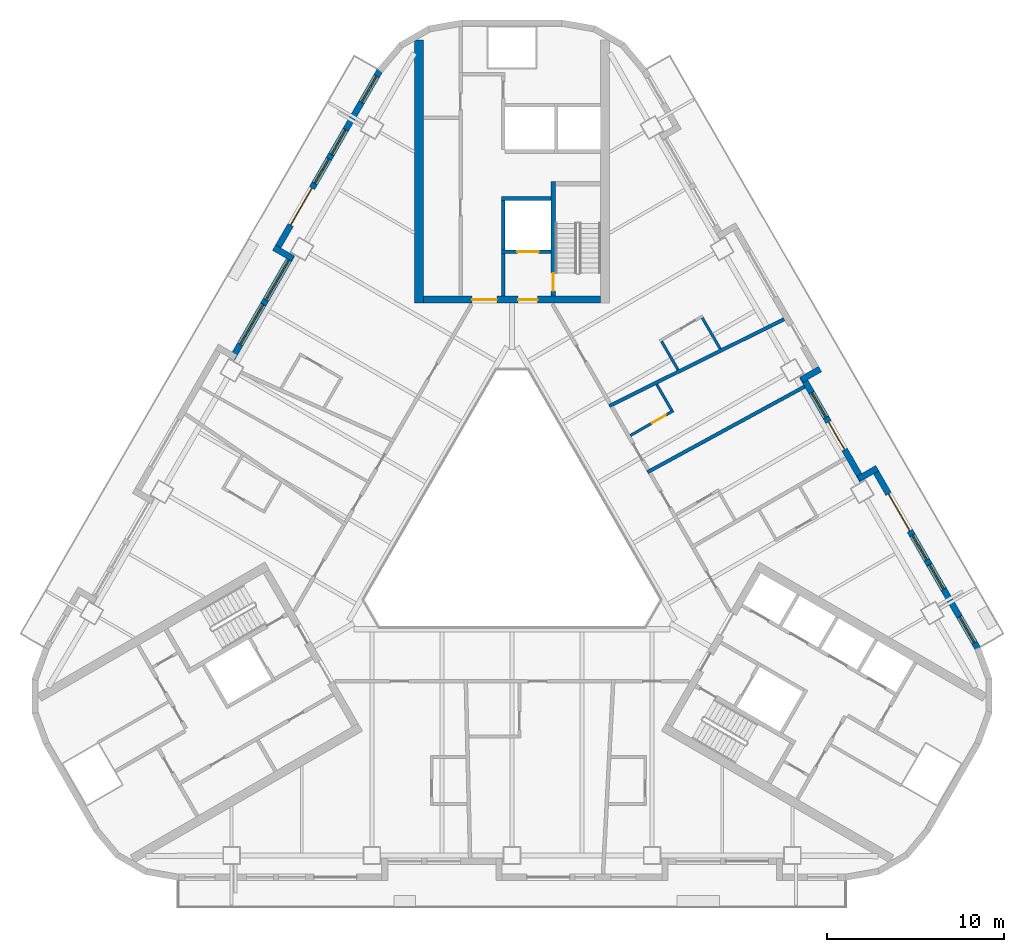
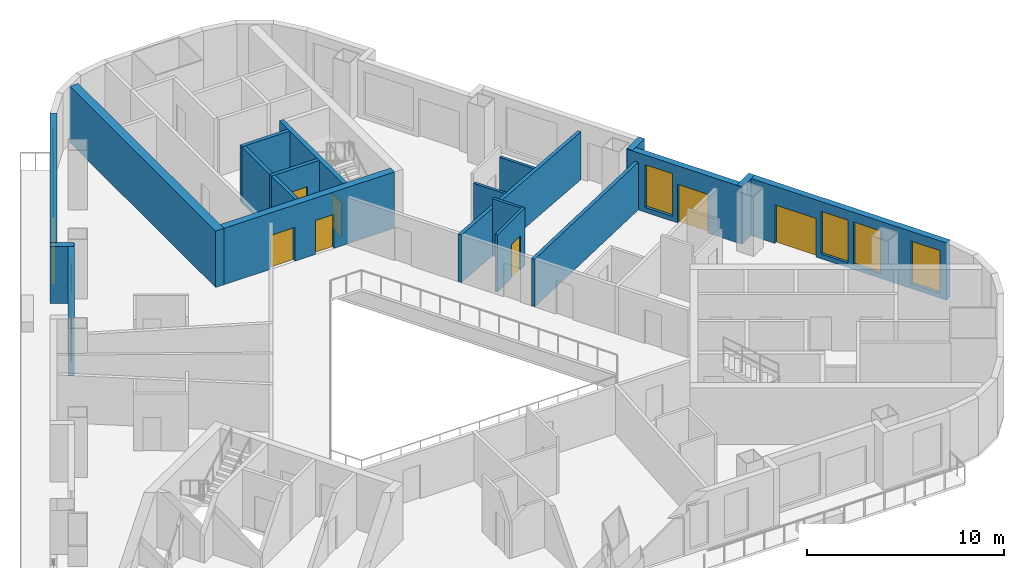
# One storey, part 6 of 13: 20 walls, 9 windows, 8 doors, 17 openings.
"""IFC4 building model written with IfcOpenShell, lengths in metres."""

from ifc_helpers import new_model, si_unit, direction, frame, frame_2d, origin, place, context, subcontext, project, spatial, rectangle, extrude, material, layer, layer_set, type_object, element, fill, save


model = new_model("IFC4")

# Units and contexts
model_context = context("Model", 3, precision=1e-05, world=origin(), true_north=direction((0.0, 1.0)))
body_context = subcontext(model_context, "Body", "Model", "MODEL_VIEW")
ifc_project = project(units=[si_unit("LENGTHUNIT", "METRE"), si_unit("AREAUNIT", "SQUARE_METRE"), si_unit("VOLUMEUNIT", "CUBIC_METRE"), si_unit("PLANEANGLEUNIT", "RADIAN"), si_unit("MASSUNIT", "GRAM", prefix="KILO")], contexts=[model_context])

# Site, building, storey
site_placement = place(None, origin())
site = spatial("IfcSite", under=ifc_project, at=site_placement, CompositionType="ELEMENT")
building_placement = place(site_placement, origin())
building = spatial("IfcBuilding", under=site, at=building_placement, Name="Apuvela Tower Hotel", CompositionType="ELEMENT")
storey_placement = place(building_placement, frame((0.0, 0.0, 79.800048828125)))
storey = spatial("IfcBuildingStorey", under=building, at=storey_placement, Name="L17", CompositionType="ELEMENT", Elevation=79.800048828125)

# Wall, openings, doors
ifc_material_1 = material(Name="Concrete C50/60", Category="concrete")
ifc_layer_1 = layer(ifc_material_1, 0.39990234375)
ifc_layer_set_1 = layer_set([ifc_layer_1], Name="COR-WALL-CORE-400")
wall_type_1 = type_object("IfcWallType", Name="COR-WALL-CORE-400", PredefinedType="SHEAR", material=ifc_layer_set_1)
wall_1_placement = place(storey_placement, frame((5.0, 13.10009765625, 0.0), z_axis=(0.0, 0.0, 1.0), x_axis=(-1.0, 0.0, 0.0)))
wall_1 = element("IfcWall", 1, at=wall_1_placement, inside=storey, type_object=wall_type_1, Name="Core wall N", PredefinedType="SHEAR", context=body_context, shape_type="SweptSolid", body=[
    extrude(rectangle(XDim=10.0, YDim=0.39990234375, at=frame_2d((5.0, 0.0))), origin(), (0.0, 0.0, 1.0), 3.5),
])
opening_1_placement = place(wall_1_placement, frame((3.550048828125, 0.0, 0.0)))
opening_1 = element("IfcOpeningElement", 2, at=opening_1_placement, cuts=wall_1, Name="Opening N-FD", PredefinedType="OPENING", context=body_context, shape_type="SweptSolid", body=[
    extrude(rectangle(XDim=1.10009765625, YDim=2.10009765625, at=frame_2d((0.550048828125, 1.050048828125))), frame((0.0, 0.2099609375, 0.0), z_axis=(0.0, -1.0, 0.0), x_axis=(1.0, 0.0, 0.0)), (0.0, 0.0, 1.0), 0.419921875),
])
opening_2_placement = place(wall_1_placement, frame((5.85009765625, 0.0, 0.0)))
opening_2 = element("IfcOpeningElement", 3, at=opening_2_placement, cuts=wall_1, Name="Opening N-GD", PredefinedType="OPENING", context=body_context, shape_type="SweptSolid", body=[
    extrude(rectangle(XDim=1.39990234375, YDim=2.10009765625, at=frame_2d((0.699951171875, 1.050048828125))), frame((0.0, 0.2099609375, 0.0), z_axis=(0.0, -1.0, 0.0), x_axis=(1.0, 0.0, 0.0)), (0.0, 0.0, 1.0), 0.419921875),
])
ifc_material_2 = material(Name="Steel fire door, powder coated", Category="steel")
door_type_1 = type_object("IfcDoorType", Name="COR-FD-1100", OperationType="NOTDEFINED", PredefinedType="DOOR", material=ifc_material_2)
door_1_placement = place(opening_1_placement, frame((1.10009765625, 0.0, 0.0), z_axis=(0.0, 0.0, 1.0), x_axis=(-1.0, 0.0, 0.0)))
door_1 = element("IfcDoor", 4, at=door_1_placement, inside=storey, type_object=door_type_1, Name="Firefighting lobby door N-FD", OperationType="SINGLE_SWING_LEFT", OverallHeight=2.10009765625, OverallWidth=1.10009765625, PredefinedType="DOOR", context=body_context, shape_type="SweptSolid", body=[
    extrude(rectangle(XDim=1.10009765625, YDim=2.10009765625, at=frame_2d((0.550048828125, 1.050048828125))), frame((0.0, 0.02490234375, 0.0), z_axis=(0.0, -1.0, 0.0), x_axis=(1.0, 0.0, 0.0)), (0.0, 0.0, 1.0), 0.050048828125),
])
fill(opening_1, door_1)
ifc_material_3 = material(Name="Glazed steel fire door", Category="steel")
door_type_2 = type_object("IfcDoorType", Name="COR-GD-1400", OperationType="DOUBLE_DOOR_SINGLE_SWING", PredefinedType="DOOR", material=ifc_material_3)
door_2_placement = place(opening_2_placement, frame((1.39990234375, 0.0, 0.0), z_axis=(0.0, 0.0, 1.0), x_axis=(-1.0, 0.0, 0.0)))
door_2 = element("IfcDoor", 5, at=door_2_placement, inside=storey, type_object=door_type_2, Name="Lift lobby door N-GD", OperationType="DOUBLE_DOOR_SINGLE_SWING", OverallHeight=2.10009765625, OverallWidth=1.39990234375, PredefinedType="DOOR", context=body_context, shape_type="SweptSolid", body=[
    extrude(rectangle(XDim=1.39990234375, YDim=2.10009765625, at=frame_2d((0.699951171875, 1.050048828125))), frame((0.0, 0.02490234375, 0.0), z_axis=(0.0, -1.0, 0.0), x_axis=(1.0, 0.0, 0.0)), (0.0, 0.0, 1.0), 0.050048828125),
])
fill(opening_2, door_2)

# Walls
ifc_layer_2 = layer(ifc_material_1, 0.5)
ifc_layer_set_2 = layer_set([ifc_layer_2], Name="COR-WALL-CORE-500")
wall_type_2 = type_object("IfcWallType", Name="COR-WALL-CORE-500", PredefinedType="SHEAR", material=ifc_layer_set_2)
wall_2_placement = place(storey_placement, frame((-5.25, 12.89990234375, 0.0), z_axis=(0.0, 0.0, 1.0), x_axis=(0.0, 1.0, 0.0)))
element("IfcWall", 6, at=wall_2_placement, inside=storey, type_object=wall_type_2, Name="Core wall N", PredefinedType="SHEAR", context=body_context, shape_type="SweptSolid", body=[
    extrude(rectangle(XDim=14.8369140625, YDim=0.5, at=frame_2d((7.41845703125, 0.0))), origin(), (0.0, 0.0, 1.0), 3.5),
])
ifc_layer_3 = layer(ifc_material_1, 0.199951171875)
ifc_layer_set_3 = layer_set([ifc_layer_3], Name="COR-WALL-SHAFT-200")
wall_type_3 = type_object("IfcWallType", Name="COR-WALL-SHAFT-200", PredefinedType="SHEAR", material=ifc_layer_set_3)
wall_3_placement = place(storey_placement, frame((2.199951171875, 18.800048828125, 0.0), z_axis=(0.0, 0.0, 1.0), x_axis=(-1.0, 0.0, 0.0)))
element("IfcWall", 7, at=wall_3_placement, inside=storey, type_object=wall_type_3, Name="Shaft wall N", PredefinedType="SHEAR", context=body_context, shape_type="SweptSolid", body=[
    extrude(rectangle(XDim=2.800048828125, YDim=0.199951171875, at=frame_2d((1.39990234375, 0.0))), origin(), (0.0, 0.0, 1.0), 3.5),
])

# Wall, opening, door
wall_4_placement = place(storey_placement, frame((2.199951171875, 15.800048828125, 0.0), z_axis=(0.0, 0.0, 1.0), x_axis=(-1.0, 0.0, 0.0)))
wall_4 = element("IfcWall", 8, at=wall_4_placement, inside=storey, type_object=wall_type_3, Name="Shaft wall N", PredefinedType="SHEAR", context=body_context, shape_type="SweptSolid", body=[
    extrude(rectangle(XDim=2.800048828125, YDim=0.199951171875, at=frame_2d((1.39990234375, 0.0))), origin(), (0.0, 0.0, 1.0), 3.5),
])
opening_3_placement = place(wall_4_placement, frame((0.699951171875, 0.0, 0.0)))
opening_3 = element("IfcOpeningElement", 9, at=opening_3_placement, cuts=wall_4, Name="Opening N-LD-FS1", PredefinedType="OPENING", context=body_context, shape_type="SweptSolid", body=[
    extrude(rectangle(XDim=1.199951171875, YDim=2.10009765625, at=frame_2d((0.60009765625, 1.050048828125))), frame((0.0, 0.10986328125, 0.0), z_axis=(0.0, -1.0, 0.0), x_axis=(1.0, 0.0, 0.0)), (0.0, 0.0, 1.0), 0.219970703125),
])
ifc_material_4 = material(Name="Stainless steel lift landing door", Category="steel")
door_type_3 = type_object("IfcDoorType", Name="COR-LD-1200", OperationType="DOUBLE_DOOR_SLIDING", PredefinedType="DOOR", material=ifc_material_4)
door_3_placement = place(opening_3_placement, origin())
door_3 = element("IfcDoor", 10, at=door_3_placement, inside=storey, type_object=door_type_3, Name="Lift landing door N-LD-FS1", OperationType="DOUBLE_DOOR_SLIDING", OverallHeight=2.10009765625, OverallWidth=1.199951171875, PredefinedType="DOOR", context=body_context, shape_type="SweptSolid", body=[
    extrude(rectangle(XDim=1.199951171875, YDim=2.10009765625, at=frame_2d((0.60009765625, 1.050048828125))), frame((0.0, 0.02490234375, 0.0), z_axis=(0.0, -1.0, 0.0), x_axis=(1.0, 0.0, 0.0)), (0.0, 0.0, 1.0), 0.050048828125),
])
fill(opening_3, door_3)

# Walls
wall_5_placement = place(storey_placement, frame((-0.5, 15.89990234375, 0.0), z_axis=(0.0, 0.0, 1.0), x_axis=(0.0, 1.0, 0.0)))
element("IfcWall", 11, at=wall_5_placement, inside=storey, type_object=wall_type_3, Name="Shaft wall N", PredefinedType="SHEAR", context=body_context, shape_type="SweptSolid", body=[
    extrude(rectangle(XDim=2.800048828125, YDim=0.199951171875, at=frame_2d((1.39990234375, 0.0))), origin(), (0.0, 0.0, 1.0), 3.5),
])
wall_6_placement = place(storey_placement, frame((-0.5, 13.300048828125, 0.0), z_axis=(0.0, 0.0, 1.0), x_axis=(0.0, 1.0, 0.0)))
element("IfcWall", 12, at=wall_6_placement, inside=storey, type_object=wall_type_3, Name="Shaft wall N", PredefinedType="SHEAR", context=body_context, shape_type="SweptSolid", body=[
    extrude(rectangle(XDim=2.39990234375, YDim=0.199951171875, at=frame_2d((1.199951171875, 0.0))), origin(), (0.0, 0.0, 1.0), 3.5),
])

# Wall, opening, door
ifc_layer_4 = layer(ifc_material_1, 0.25)
ifc_layer_set_4 = layer_set([ifc_layer_4], Name="COR-WALL-STAIR-250")
wall_type_4 = type_object("IfcWallType", Name="COR-WALL-STAIR-250", PredefinedType="SHEAR", material=ifc_layer_set_4)
wall_7_placement = place(storey_placement, frame((2.324951171875, 13.300048828125, 0.0), z_axis=(0.0, 0.0, 1.0), x_axis=(0.0, 1.0, 0.0)))
wall_7 = element("IfcWall", 13, at=wall_7_placement, inside=storey, type_object=wall_type_4, Name="Stair wall N", PredefinedType="SHEAR", context=body_context, shape_type="SweptSolid", body=[
    extrude(rectangle(XDim=6.449951171875, YDim=0.25, at=frame_2d((3.22509765625, 0.0))), origin(), (0.0, 0.0, 1.0), 3.5),
])
opening_4_placement = place(wall_7_placement, frame((0.300048828125, 0.0, 0.0)))
opening_4 = element("IfcOpeningElement", 14, at=opening_4_placement, cuts=wall_7, Name="Opening N-SD", PredefinedType="OPENING", context=body_context, shape_type="SweptSolid", body=[
    extrude(rectangle(XDim=1.0, YDim=2.10009765625, at=frame_2d((0.5, 1.050048828125))), frame((0.0, 0.135009765625, 0.0), z_axis=(0.0, -1.0, 0.0), x_axis=(1.0, 0.0, 0.0)), (0.0, 0.0, 1.0), 0.27001953125),
])
door_type_4 = type_object("IfcDoorType", Name="COR-SD-1000", OperationType="NOTDEFINED", PredefinedType="DOOR", material=ifc_material_2)
door_4_placement = place(opening_4_placement, frame((1.0, 0.0, 0.0), z_axis=(0.0, 0.0, 1.0), x_axis=(-1.0, 0.0, 0.0)))
door_4 = element("IfcDoor", 15, at=door_4_placement, inside=storey, type_object=door_type_4, Name="Stair door N-SD", OperationType="SINGLE_SWING_LEFT", OverallHeight=2.10009765625, OverallWidth=1.0, PredefinedType="DOOR", context=body_context, shape_type="SweptSolid", body=[
    extrude(rectangle(XDim=1.0, YDim=2.10009765625, at=frame_2d((0.5, 1.050048828125))), frame((0.0, 0.02490234375, 0.0), z_axis=(0.0, -1.0, 0.0), x_axis=(1.0, 0.0, 0.0)), (0.0, 0.0, 1.0), 0.050048828125),
])
fill(opening_4, door_4)

# Wall, openings, door, windows
ifc_material_5 = material(Name="Concrete C40/50, dark pigmented precast panel", Category="concrete")
ifc_layer_5 = layer(ifc_material_5, 0.35009765625)
ifc_layer_set_5 = layer_set([ifc_layer_5], Name="ENV-WALL-350")
wall_type_5 = type_object("IfcWallType", Name="ENV-WALL-350", PredefinedType="SOLIDWALL", material=ifc_layer_set_5)
wall_8_placement = place(storey_placement, frame((-7.440673828125, 26.0224609375, 0.0), z_axis=(0.0, 0.0, 1.0), x_axis=(-0.499992533062, -0.86602971478, 0.0)))
wall_8 = element("IfcWall", 16, at=wall_8_placement, inside=storey, type_object=wall_type_5, Name="External wall L17-01", PredefinedType="SOLIDWALL", context=body_context, shape_type="SweptSolid", body=[
    extrude(rectangle(XDim=11.815673828125, YDim=0.35009765625, at=frame_2d((5.90771484375, 0.0))), origin(), (0.0, 0.0, 1.0), 3.550048828125),
])
opening_5_placement = place(wall_8_placement, frame((0.381103515625, 0.0, 0.300048828125)))
opening_5 = element("IfcOpeningElement", 17, at=opening_5_placement, cuts=wall_8, Name="Opening WN17", PredefinedType="OPENING", context=body_context, shape_type="SweptSolid", body=[
    extrude(rectangle(XDim=1.699951171875, YDim=2.64990234375, at=frame_2d((0.85009765625, 1.324951171875))), frame((0.0, 0.18505859375, 0.0), z_axis=(0.0, -1.0, 0.0), x_axis=(1.0, 0.0, 0.0)), (0.0, 0.0, 1.0), 0.3701171875),
])
opening_6_placement = place(wall_8_placement, frame((7.66552734375, 0.0, 0.0)))
opening_6 = element("IfcOpeningElement", 18, at=opening_6_placement, cuts=wall_8, Name="Opening BD24", PredefinedType="OPENING", context=body_context, shape_type="SweptSolid", body=[
    extrude(rectangle(XDim=2.39990234375, YDim=2.39990234375, at=frame_2d((1.199951171875, 1.199951171875))), frame((0.0, 0.18505859375, 0.0), z_axis=(0.0, -1.0, 0.0), x_axis=(1.0, 0.0, 0.0)), (0.0, 0.0, 1.0), 0.3701171875),
])
opening_7_placement = place(wall_8_placement, frame((3.865478515625, 0.0, 0.300048828125)))
opening_7 = element("IfcOpeningElement", 19, at=opening_7_placement, cuts=wall_8, Name="Opening WN16", PredefinedType="OPENING", context=body_context, shape_type="SweptSolid", body=[
    extrude(rectangle(XDim=1.60009765625, YDim=2.64990234375, at=frame_2d((0.800048828125, 1.324951171875))), frame((0.0, 0.18505859375, 0.0), z_axis=(0.0, -1.0, 0.0), x_axis=(1.0, 0.0, 0.0)), (0.0, 0.0, 1.0), 0.3701171875),
])
opening_8_placement = place(wall_8_placement, frame((5.765380859375, 0.0, 0.300048828125)))
opening_8 = element("IfcOpeningElement", 20, at=opening_8_placement, cuts=wall_8, Name="Opening WN16", PredefinedType="OPENING", context=body_context, shape_type="SweptSolid", body=[
    extrude(rectangle(XDim=1.60009765625, YDim=2.64990234375, at=frame_2d((0.800048828125, 1.324951171875))), frame((0.0, 0.18505859375, 0.0), z_axis=(0.0, -1.0, 0.0), x_axis=(1.0, 0.0, 0.0)), (0.0, 0.0, 1.0), 0.3701171875),
])
ifc_material_6 = material(Name="Aluminium 6063-T6, dark bronze anodised frame with dark tinted laminated glass", Category="aluminium")
door_type_5 = type_object("IfcDoorType", Name="ENV-DOOR-BALCONY-2400x2400", OperationType="SLIDING_TO_LEFT", PredefinedType="DOOR", material=ifc_material_6)
door_5_placement = place(opening_6_placement, frame((2.39990234375, 0.0, 0.0), z_axis=(0.0, 0.0, 1.0), x_axis=(-1.0, 0.0, 0.0)))
door_5 = element("IfcDoor", 21, at=door_5_placement, inside=storey, type_object=door_type_5, Name="Balcony door BD24", OperationType="SLIDING_TO_LEFT", OverallHeight=2.39990234375, OverallWidth=2.39990234375, PredefinedType="DOOR", context=body_context, shape_type="SweptSolid", body=[
    extrude(rectangle(XDim=2.39990234375, YDim=2.39990234375, at=frame_2d((1.199951171875, 1.199951171875))), frame((0.0, 0.02490234375, 0.0), z_axis=(0.0, -1.0, 0.0), x_axis=(1.0, 0.0, 0.0)), (0.0, 0.0, 1.0), 0.050048828125),
])
fill(opening_6, door_5)
ifc_material_7 = material(Name="Glass, dark tinted laminated insulated glazing unit", Category="glass")
window_type_1 = type_object("IfcWindowType", Name="ENV-WIN-1600x2650", PartitioningType="SINGLE_PANEL", PredefinedType="WINDOW", material=ifc_material_7)
window_1_placement = place(opening_7_placement, origin())
window_1 = element("IfcWindow", 22, at=window_1_placement, inside=storey, type_object=window_type_1, Name="Window WN16", OverallHeight=2.64990234375, OverallWidth=1.60009765625, PartitioningType="SINGLE_PANEL", PredefinedType="WINDOW", context=body_context, shape_type="SweptSolid", body=[
    extrude(rectangle(XDim=1.60009765625, YDim=2.64990234375, at=frame_2d((0.800048828125, 1.324951171875))), frame((0.0, 0.030029296875, 0.0), z_axis=(0.0, -1.0, 0.0), x_axis=(1.0, 0.0, 0.0)), (0.0, 0.0, 1.0), 0.06005859375),
])
fill(opening_7, window_1)
window_2_placement = place(opening_8_placement, origin())
window_2 = element("IfcWindow", 23, at=window_2_placement, inside=storey, type_object=window_type_1, Name="Window WN16", OverallHeight=2.64990234375, OverallWidth=1.60009765625, PartitioningType="SINGLE_PANEL", PredefinedType="WINDOW", context=body_context, shape_type="SweptSolid", body=[
    extrude(rectangle(XDim=1.60009765625, YDim=2.64990234375, at=frame_2d((0.800048828125, 1.324951171875))), frame((0.0, 0.030029296875, 0.0), z_axis=(0.0, -1.0, 0.0), x_axis=(1.0, 0.0, 0.0)), (0.0, 0.0, 1.0), 0.06005859375),
])
fill(opening_8, window_2)
window_type_2 = type_object("IfcWindowType", Name="ENV-WIN-1700x2650", PartitioningType="SINGLE_PANEL", PredefinedType="WINDOW", material=ifc_material_7)
window_3_placement = place(opening_5_placement, origin())
window_3 = element("IfcWindow", 24, at=window_3_placement, inside=storey, type_object=window_type_2, Name="Window WN17", OverallHeight=2.64990234375, OverallWidth=1.699951171875, PartitioningType="SINGLE_PANEL", PredefinedType="WINDOW", context=body_context, shape_type="SweptSolid", body=[
    extrude(rectangle(XDim=1.699951171875, YDim=2.64990234375, at=frame_2d((0.85009765625, 1.324951171875))), frame((0.0, 0.030029296875, 0.0), z_axis=(0.0, -1.0, 0.0), x_axis=(1.0, 0.0, 0.0)), (0.0, 0.0, 1.0), 0.06005859375),
])
fill(opening_5, window_3)

# Wall
wall_9_placement = place(storey_placement, frame((-13.41259765625, 16.02880859375, 0.0), z_axis=(0.0, 0.0, 1.0), x_axis=(0.866005645448, -0.500034220881, 0.0)))
element("IfcWall", 25, at=wall_9_placement, inside=storey, type_object=wall_type_5, Name="External wall L17-02", PredefinedType="SOLIDWALL", context=body_context, shape_type="SweptSolid", body=[
    extrude(rectangle(XDim=1.22021484375, YDim=0.35009765625, at=frame_2d((0.610107421875, 0.0))), origin(), (0.0, 0.0, 1.0), 3.550048828125),
])

# Wall, openings, windows
wall_10_placement = place(storey_placement, frame((-12.408935546875, 15.616943359375, 0.0), z_axis=(0.0, 0.0, 1.0), x_axis=(-0.500003597184, -0.866023326939, 0.0)))
wall_10 = element("IfcWall", 26, at=wall_10_placement, inside=storey, type_object=wall_type_5, Name="External wall L17-03", PredefinedType="SOLIDWALL", context=body_context, shape_type="SweptSolid", body=[
    extrude(rectangle(XDim=6.740234375, YDim=0.35009765625, at=frame_2d((3.3701171875, 0.0))), origin(), (0.0, 0.0, 1.0), 3.550048828125),
])
opening_9_placement = place(wall_10_placement, frame((0.3203125, 0.0, 0.300048828125)))
opening_9 = element("IfcOpeningElement", 27, at=opening_9_placement, cuts=wall_10, Name="Opening WN26", PredefinedType="OPENING", context=body_context, shape_type="SweptSolid", body=[
    extrude(rectangle(XDim=2.60009765625, YDim=2.64990234375, at=frame_2d((1.300048828125, 1.324951171875))), frame((0.0, 0.18505859375, 0.0), z_axis=(0.0, -1.0, 0.0), x_axis=(1.0, 0.0, 0.0)), (0.0, 0.0, 1.0), 0.3701171875),
])
opening_10_placement = place(wall_10_placement, frame((3.22021484375, 0.0, 0.300048828125)))
opening_10 = element("IfcOpeningElement", 28, at=opening_10_placement, cuts=wall_10, Name="Opening WN26", PredefinedType="OPENING", context=body_context, shape_type="SweptSolid", body=[
    extrude(rectangle(XDim=2.60009765625, YDim=2.64990234375, at=frame_2d((1.300048828125, 1.324951171875))), frame((0.0, 0.18505859375, 0.0), z_axis=(0.0, -1.0, 0.0), x_axis=(1.0, 0.0, 0.0)), (0.0, 0.0, 1.0), 0.3701171875),
])
window_type_3 = type_object("IfcWindowType", Name="ENV-WIN-2600x2650", PartitioningType="SINGLE_PANEL", PredefinedType="WINDOW", material=ifc_material_7)
window_4_placement = place(opening_9_placement, origin())
window_4 = element("IfcWindow", 29, at=window_4_placement, inside=storey, type_object=window_type_3, Name="Window WN26", OverallHeight=2.64990234375, OverallWidth=2.60009765625, PartitioningType="SINGLE_PANEL", PredefinedType="WINDOW", context=body_context, shape_type="SweptSolid", body=[
    extrude(rectangle(XDim=2.60009765625, YDim=2.64990234375, at=frame_2d((1.300048828125, 1.324951171875))), frame((0.0, 0.030029296875, 0.0), z_axis=(0.0, -1.0, 0.0), x_axis=(1.0, 0.0, 0.0)), (0.0, 0.0, 1.0), 0.06005859375),
])
fill(opening_9, window_4)
window_5_placement = place(opening_10_placement, origin())
window_5 = element("IfcWindow", 30, at=window_5_placement, inside=storey, type_object=window_type_3, Name="Window WN26", OverallHeight=2.64990234375, OverallWidth=2.60009765625, PartitioningType="SINGLE_PANEL", PredefinedType="WINDOW", context=body_context, shape_type="SweptSolid", body=[
    extrude(rectangle(XDim=2.60009765625, YDim=2.64990234375, at=frame_2d((1.300048828125, 1.324951171875))), frame((0.0, 0.030029296875, 0.0), z_axis=(0.0, -1.0, 0.0), x_axis=(1.0, 0.0, 0.0)), (0.0, 0.0, 1.0), 0.06005859375),
])
fill(opening_10, window_5)

# Wall, openings, door, windows
wall_11_placement = place(storey_placement, frame((26.256591796875, -6.5673828125, 0.0), z_axis=(0.0, 0.0, 1.0), x_axis=(-0.500023526245, 0.866011820475, 0.0)))
wall_11 = element("IfcWall", 31, at=wall_11_placement, inside=storey, type_object=wall_type_5, Name="External wall L17-33", PredefinedType="SOLIDWALL", context=body_context, shape_type="SweptSolid", body=[
    extrude(rectangle(XDim=11.81591796875, YDim=0.35009765625, at=frame_2d((5.907958984375, 0.0))), origin(), (0.0, 0.0, 1.0), 3.550048828125),
])
opening_11_placement = place(wall_11_placement, frame((0.380126953125, 0.0, 0.300048828125)))
opening_11 = element("IfcOpeningElement", 32, at=opening_11_placement, cuts=wall_11, Name="Opening WN17", PredefinedType="OPENING", context=body_context, shape_type="SweptSolid", body=[
    extrude(rectangle(XDim=1.699951171875, YDim=2.64990234375, at=frame_2d((0.85009765625, 1.324951171875))), frame((0.0, 0.18505859375, 0.0), z_axis=(0.0, -1.0, 0.0), x_axis=(1.0, 0.0, 0.0)), (0.0, 0.0, 1.0), 0.3701171875),
])
opening_12_placement = place(wall_11_placement, frame((7.666015625, 0.0, 0.0)))
opening_12 = element("IfcOpeningElement", 33, at=opening_12_placement, cuts=wall_11, Name="Opening BD24", PredefinedType="OPENING", context=body_context, shape_type="SweptSolid", body=[
    extrude(rectangle(XDim=2.39990234375, YDim=2.39990234375, at=frame_2d((1.199951171875, 1.199951171875))), frame((0.0, 0.18505859375, 0.0), z_axis=(0.0, -1.0, 0.0), x_axis=(1.0, 0.0, 0.0)), (0.0, 0.0, 1.0), 0.3701171875),
])
opening_13_placement = place(wall_11_placement, frame((3.865234375, 0.0, 0.300048828125)))
opening_13 = element("IfcOpeningElement", 34, at=opening_13_placement, cuts=wall_11, Name="Opening WN16", PredefinedType="OPENING", context=body_context, shape_type="SweptSolid", body=[
    extrude(rectangle(XDim=1.60009765625, YDim=2.64990234375, at=frame_2d((0.800048828125, 1.324951171875))), frame((0.0, 0.18505859375, 0.0), z_axis=(0.0, -1.0, 0.0), x_axis=(1.0, 0.0, 0.0)), (0.0, 0.0, 1.0), 0.3701171875),
])
opening_14_placement = place(wall_11_placement, frame((5.765380859375, 0.0, 0.300048828125)))
opening_14 = element("IfcOpeningElement", 35, at=opening_14_placement, cuts=wall_11, Name="Opening WN16", PredefinedType="OPENING", context=body_context, shape_type="SweptSolid", body=[
    extrude(rectangle(XDim=1.60009765625, YDim=2.64990234375, at=frame_2d((0.800048828125, 1.324951171875))), frame((0.0, 0.18505859375, 0.0), z_axis=(0.0, -1.0, 0.0), x_axis=(1.0, 0.0, 0.0)), (0.0, 0.0, 1.0), 0.3701171875),
])
door_6_placement = place(opening_12_placement, frame((2.39990234375, 0.0, 0.0), z_axis=(0.0, 0.0, 1.0), x_axis=(-1.0, 0.0, 0.0)))
door_6 = element("IfcDoor", 36, at=door_6_placement, inside=storey, type_object=door_type_5, Name="Balcony door BD24", OperationType="SLIDING_TO_LEFT", OverallHeight=2.39990234375, OverallWidth=2.39990234375, PredefinedType="DOOR", context=body_context, shape_type="SweptSolid", body=[
    extrude(rectangle(XDim=2.39990234375, YDim=2.39990234375, at=frame_2d((1.199951171875, 1.199951171875))), frame((0.0, 0.02490234375, 0.0), z_axis=(0.0, -1.0, 0.0), x_axis=(1.0, 0.0, 0.0)), (0.0, 0.0, 1.0), 0.050048828125),
])
fill(opening_12, door_6)
window_6_placement = place(opening_13_placement, origin())
window_6 = element("IfcWindow", 37, at=window_6_placement, inside=storey, type_object=window_type_1, Name="Window WN16", OverallHeight=2.64990234375, OverallWidth=1.60009765625, PartitioningType="SINGLE_PANEL", PredefinedType="WINDOW", context=body_context, shape_type="SweptSolid", body=[
    extrude(rectangle(XDim=1.60009765625, YDim=2.64990234375, at=frame_2d((0.800048828125, 1.324951171875))), frame((0.0, 0.030029296875, 0.0), z_axis=(0.0, -1.0, 0.0), x_axis=(1.0, 0.0, 0.0)), (0.0, 0.0, 1.0), 0.06005859375),
])
fill(opening_13, window_6)
window_7_placement = place(opening_14_placement, origin())
window_7 = element("IfcWindow", 38, at=window_7_placement, inside=storey, type_object=window_type_1, Name="Window WN16", OverallHeight=2.64990234375, OverallWidth=1.60009765625, PartitioningType="SINGLE_PANEL", PredefinedType="WINDOW", context=body_context, shape_type="SweptSolid", body=[
    extrude(rectangle(XDim=1.60009765625, YDim=2.64990234375, at=frame_2d((0.800048828125, 1.324951171875))), frame((0.0, 0.030029296875, 0.0), z_axis=(0.0, -1.0, 0.0), x_axis=(1.0, 0.0, 0.0)), (0.0, 0.0, 1.0), 0.06005859375),
])
fill(opening_14, window_7)
window_8_placement = place(opening_11_placement, origin())
window_8 = element("IfcWindow", 39, at=window_8_placement, inside=storey, type_object=window_type_2, Name="Window WN17", OverallHeight=2.64990234375, OverallWidth=1.699951171875, PartitioningType="SINGLE_PANEL", PredefinedType="WINDOW", context=body_context, shape_type="SweptSolid", body=[
    extrude(rectangle(XDim=1.699951171875, YDim=2.64990234375, at=frame_2d((0.85009765625, 1.324951171875))), frame((0.0, 0.030029296875, 0.0), z_axis=(0.0, -1.0, 0.0), x_axis=(1.0, 0.0, 0.0)), (0.0, 0.0, 1.0), 0.06005859375),
])
fill(opening_11, window_8)

# Wall
wall_12_placement = place(storey_placement, frame((20.587646484375, 3.601318359375, 0.0), z_axis=(0.0, 0.0, 1.0), x_axis=(-0.866005645448, -0.500034220881, 0.0)))
element("IfcWall", 40, at=wall_12_placement, inside=storey, type_object=wall_type_5, Name="External wall L17-34", PredefinedType="SOLIDWALL", context=body_context, shape_type="SweptSolid", body=[
    extrude(rectangle(XDim=1.22021484375, YDim=0.35009765625, at=frame_2d((0.610107421875, 0.0))), origin(), (0.0, 0.0, 1.0), 3.550048828125),
])

# Wall, openings, door, window
wall_13_placement = place(storey_placement, frame((19.72900390625, 2.93798828125, 0.0), z_axis=(0.0, 0.0, 1.0), x_axis=(-0.499976430342, 0.866039011305, 0.0)))
wall_13 = element("IfcWall", 41, at=wall_13_placement, inside=storey, type_object=wall_type_5, Name="External wall L17-35", PredefinedType="SOLIDWALL", context=body_context, shape_type="SweptSolid", body=[
    extrude(rectangle(XDim=6.739990234375, YDim=0.35009765625, at=frame_2d((3.3701171875, 0.0))), origin(), (0.0, 0.0, 1.0), 3.550048828125),
])
opening_15_placement = place(wall_13_placement, frame((1.97021484375, 0.0, 0.0)))
opening_15 = element("IfcOpeningElement", 42, at=opening_15_placement, cuts=wall_13, Name="Opening BD18", PredefinedType="OPENING", context=body_context, shape_type="SweptSolid", body=[
    extrude(rectangle(XDim=1.800048828125, YDim=2.39990234375, at=frame_2d((0.89990234375, 1.199951171875))), frame((0.0, 0.18505859375, 0.0), z_axis=(0.0, -1.0, 0.0), x_axis=(1.0, 0.0, 0.0)), (0.0, 0.0, 1.0), 0.3701171875),
])
opening_16_placement = place(wall_13_placement, frame((4.0703125, 0.0, 0.300048828125)))
opening_16 = element("IfcOpeningElement", 43, at=opening_16_placement, cuts=wall_13, Name="Opening WN16", PredefinedType="OPENING", context=body_context, shape_type="SweptSolid", body=[
    extrude(rectangle(XDim=1.60009765625, YDim=2.64990234375, at=frame_2d((0.800048828125, 1.324951171875))), frame((0.0, 0.18505859375, 0.0), z_axis=(0.0, -1.0, 0.0), x_axis=(1.0, 0.0, 0.0)), (0.0, 0.0, 1.0), 0.3701171875),
])
door_type_6 = type_object("IfcDoorType", Name="ENV-DOOR-BALCONY-1800x2400", OperationType="SLIDING_TO_LEFT", PredefinedType="DOOR", material=ifc_material_6)
door_7_placement = place(opening_15_placement, frame((1.800048828125, 0.0, 0.0), z_axis=(0.0, 0.0, 1.0), x_axis=(-1.0, 0.0, 0.0)))
door_7 = element("IfcDoor", 44, at=door_7_placement, inside=storey, type_object=door_type_6, Name="Balcony door BD18", OperationType="SLIDING_TO_LEFT", OverallHeight=2.39990234375, OverallWidth=1.800048828125, PredefinedType="DOOR", context=body_context, shape_type="SweptSolid", body=[
    extrude(rectangle(XDim=1.800048828125, YDim=2.39990234375, at=frame_2d((0.89990234375, 1.199951171875))), frame((0.0, 0.02490234375, 0.0), z_axis=(0.0, -1.0, 0.0), x_axis=(1.0, 0.0, 0.0)), (0.0, 0.0, 1.0), 0.050048828125),
])
fill(opening_15, door_7)
window_9_placement = place(opening_16_placement, origin())
window_9 = element("IfcWindow", 45, at=window_9_placement, inside=storey, type_object=window_type_1, Name="Window WN16", OverallHeight=2.64990234375, OverallWidth=1.60009765625, PartitioningType="SINGLE_PANEL", PredefinedType="WINDOW", context=body_context, shape_type="SweptSolid", body=[
    extrude(rectangle(XDim=1.60009765625, YDim=2.64990234375, at=frame_2d((0.800048828125, 1.324951171875))), frame((0.0, 0.030029296875, 0.0), z_axis=(0.0, -1.0, 0.0), x_axis=(1.0, 0.0, 0.0)), (0.0, 0.0, 1.0), 0.06005859375),
])
fill(opening_16, window_9)

# Walls
wall_14_placement = place(storey_placement, frame((16.305908203125, 8.5771484375, 0.0), z_axis=(0.0, 0.0, 1.0), x_axis=(0.866092288191, 0.499884134912, 0.0)))
element("IfcWall", 46, at=wall_14_placement, inside=storey, type_object=wall_type_5, Name="External wall L17-36", PredefinedType="SOLIDWALL", context=body_context, shape_type="SweptSolid", body=[
    extrude(rectangle(XDim=1.219970703125, YDim=0.35009765625, at=frame_2d((0.60986328125, 0.0))), origin(), (0.0, 0.0, 1.0), 3.550048828125),
])
ifc_material_8 = material(Name="Gypsum board partition on twin steel stud", Category="steel")
ifc_layer_6 = layer(ifc_material_8, 0.199951171875)
ifc_layer_set_6 = layer_set([ifc_layer_6], Name="GST-PW1")
wall_type_6 = type_object("IfcWallType", Name="GST-PW1", PredefinedType="PARTITIONING", material=ifc_layer_set_6)
wall_15_placement = place(storey_placement, frame((16.4912109375, 8.1962890625, 0.0), z_axis=(0.0, 0.0, 1.0), x_axis=(-0.878274684292, -0.478156437719, 0.0)))
element("IfcWall", 47, at=wall_15_placement, inside=storey, type_object=wall_type_6, Name="L17 partition 04", PredefinedType="PARTITIONING", context=body_context, shape_type="SweptSolid", body=[
    extrude(rectangle(XDim=10.0830078125, YDim=0.199951171875, at=frame_2d((5.04150390625, 0.0))), origin(), (0.0, 0.0, 1.0), 2.9599609375),
])
wall_16_placement = place(storey_placement, frame((15.3369140625, 11.99560546875, 0.0), z_axis=(0.0, 0.0, 1.0), x_axis=(-0.895785569399, -0.4444864606, 0.0)))
element("IfcWall", 48, at=wall_16_placement, inside=storey, type_object=wall_type_6, Name="L17 partition 05", PredefinedType="PARTITIONING", context=body_context, shape_type="SweptSolid", body=[
    extrude(rectangle(XDim=11.001708984375, YDim=0.199951171875, at=frame_2d((5.5009765625, 0.0))), origin(), (0.0, 0.0, 1.0), 2.9599609375),
])

# Wall, opening, door
ifc_material_9 = material(Name="Moisture-resistant gypsum board wet wall on steel stud", Category="steel")
ifc_layer_7 = layer(ifc_material_9, 0.14990234375)
ifc_layer_set_7 = layer_set([ifc_layer_7], Name="GST-PW3")
wall_type_7 = type_object("IfcWallType", Name="GST-PW3", PredefinedType="PARTITIONING", material=ifc_layer_set_7)
wall_17_placement = place(storey_placement, frame((6.673828125, 5.440673828125, 0.0), z_axis=(0.0, 0.0, 1.0), x_axis=(0.866034573852, 0.49998411664, 0.0)))
wall_17 = element("IfcWall", 49, at=wall_17_placement, inside=storey, type_object=wall_type_7, Name="L17 partition 27", PredefinedType="PARTITIONING", context=body_context, shape_type="SweptSolid", body=[
    extrude(rectangle(XDim=2.7998046875, YDim=0.14990234375, at=frame_2d((1.39990234375, 0.0))), origin(), (0.0, 0.0, 1.0), 3.550048828125),
])
opening_17_placement = place(wall_17_placement, frame((1.39990234375, 0.0, 0.0)))
opening_17 = element("IfcOpeningElement", 50, at=opening_17_placement, cuts=wall_17, Name="Opening GD05-11", PredefinedType="OPENING", context=body_context, shape_type="SweptSolid", body=[
    extrude(rectangle(XDim=0.89990234375, YDim=2.10009765625, at=frame_2d((0.449951171875, 1.050048828125))), frame((0.0, 0.0849609375, 0.0), z_axis=(0.0, -1.0, 0.0), x_axis=(1.0, 0.0, 0.0)), (0.0, 0.0, 1.0), 0.169921875),
])
ifc_material_10 = material(Name="Timber door leaf in steel frame", Category="steel")
door_type_7 = type_object("IfcDoorType", Name="GST-D2", OperationType="NOTDEFINED", PredefinedType="DOOR", material=ifc_material_10)
door_8_placement = place(opening_17_placement, origin())
door_8 = element("IfcDoor", 51, at=door_8_placement, inside=storey, type_object=door_type_7, Name="Door L17-11", OperationType="SINGLE_SWING_RIGHT", OverallHeight=2.10009765625, OverallWidth=0.89990234375, PredefinedType="DOOR", context=body_context, shape_type="SweptSolid", body=[
    extrude(rectangle(XDim=0.89990234375, YDim=2.10009765625, at=frame_2d((0.449951171875, 1.050048828125))), frame((0.0, 0.02490234375, 0.0), z_axis=(0.0, -1.0, 0.0), x_axis=(1.0, 0.0, 0.0)), (0.0, 0.0, 1.0), 0.050048828125),
])
fill(opening_17, door_8)

# Walls
wall_18_placement = place(storey_placement, frame((8.99609375, 6.8681640625, 0.0), z_axis=(0.0, 0.0, 1.0), x_axis=(-0.499957569697, 0.866049899545, 0.0)))
element("IfcWall", 52, at=wall_18_placement, inside=storey, type_object=wall_type_7, Name="L17 partition 28", PredefinedType="PARTITIONING", context=body_context, shape_type="SweptSolid", body=[
    extrude(rectangle(XDim=1.677978515625, YDim=0.14990234375, at=frame_2d((0.8388671875, 0.0))), origin(), (0.0, 0.0, 1.0), 3.550048828125),
])
wall_19_placement = place(storey_placement, frame((11.737060546875, 10.32080078125, 0.0), z_axis=(0.0, 0.0, 1.0), x_axis=(-0.499969802211, 0.866042837784, 0.0)))
element("IfcWall", 53, at=wall_19_placement, inside=storey, type_object=wall_type_7, Name="L17 partition 31", PredefinedType="PARTITIONING", context=body_context, shape_type="SweptSolid", body=[
    extrude(rectangle(XDim=2.022216796875, YDim=0.14990234375, at=frame_2d((1.01123046875, 0.0))), origin(), (0.0, 0.0, 1.0), 2.949951171875),
])
wall_20_placement = place(storey_placement, frame((9.3583984375, 9.140625, 0.0), z_axis=(0.0, 0.0, 1.0), x_axis=(-0.49996174997, 0.866047486323, 0.0)))
element("IfcWall", 54, at=wall_20_placement, inside=storey, type_object=wall_type_7, Name="L17 partition 32", PredefinedType="PARTITIONING", context=body_context, shape_type="SweptSolid", body=[
    extrude(rectangle(XDim=1.854736328125, YDim=0.14990234375, at=frame_2d((0.92724609375, 0.0))), origin(), (0.0, 0.0, 1.0), 2.949951171875),
])

save(model, "model.ifc")
